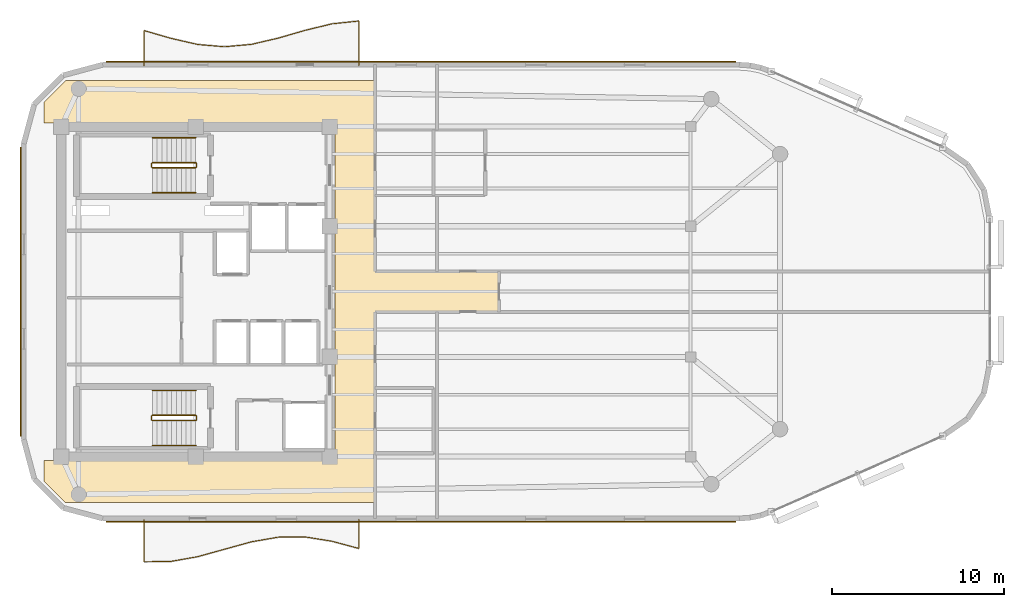
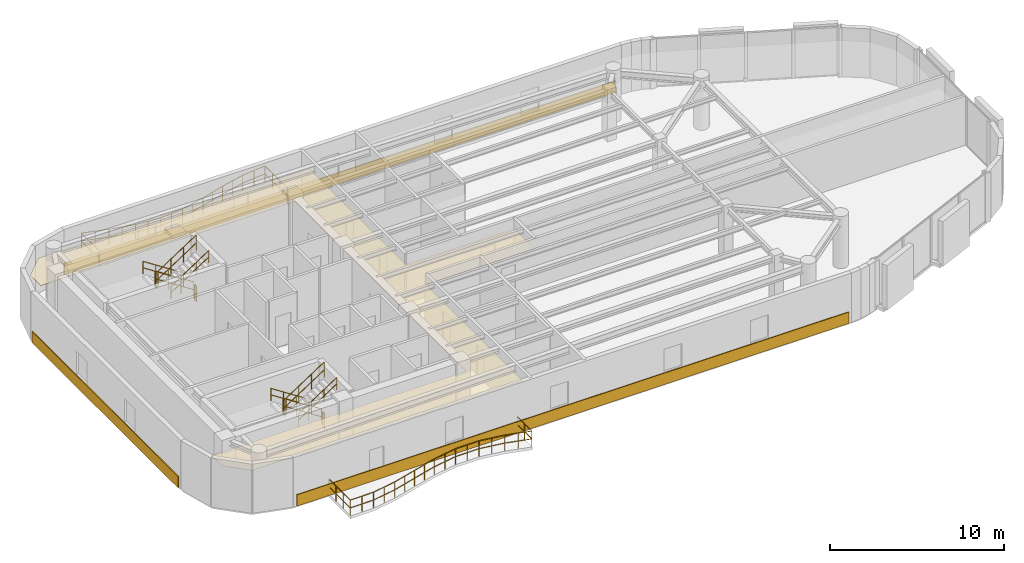
# One storey, part 11 of 12: 14 railings, 4 coverings.
"""IFC4 building model written with IfcOpenShell, lengths in metres."""

from ifc_helpers import new_model, si_unit, direction, frame, origin, origin_2d, place, context, subcontext, project, spatial, polyline, rectangle, circle, outline, extrude, material, layer, layer_set, type_object, element, save


model = new_model("IFC4")

# Units and contexts
model_context = context("Model", 3, precision=1e-05, world=origin(), true_north=direction((0.0, 1.0)))
body_context = subcontext(model_context, "Body", "Model", "MODEL_VIEW")
ifc_project = project(units=[si_unit("LENGTHUNIT", "METRE"), si_unit("AREAUNIT", "SQUARE_METRE"), si_unit("VOLUMEUNIT", "CUBIC_METRE"), si_unit("PLANEANGLEUNIT", "RADIAN"), si_unit("MASSUNIT", "GRAM", prefix="KILO")], contexts=[model_context])

# Site, building, storey
site_placement = place(None, origin())
site = spatial("IfcSite", under=ifc_project, at=site_placement, CompositionType="ELEMENT")
building_placement = place(site_placement, origin())
building = spatial("IfcBuilding", under=site, at=building_placement, Name="An Khanh Terracotta Commons", CompositionType="ELEMENT")
storey_placement = place(building_placement, frame((0.0, 0.0, 273.39990234375)))
storey = spatial("IfcBuildingStorey", under=building, at=storey_placement, Name="L71", CompositionType="ELEMENT", Elevation=273.39990234375)

# Coverings
ifc_material_1 = material(Name="Perforated Mineral-Fibre Acoustic Tile")
ifc_layer_1 = layer(ifc_material_1, 0.02001953125, Name="Perforated Mineral-Fibre Acoustic Tile")
ifc_layer_set_1 = layer_set([ifc_layer_1], Name="Perforated Mineral-Fibre Acoustic Tile")
covering_type_1 = type_object("IfcCoveringType", Name="CEIL-ACOUSTIC-18", PredefinedType="CEILING", material=ifc_layer_set_1)
covering_1_placement = place(storey_placement, frame((0.0, 0.0, 2.650146484375)))
element("IfcCovering", 1, at=covering_1_placement, inside=storey, type_object=covering_type_1, Name="L71 Corridor Ceiling", PredefinedType="CEILING", context=body_context, shape_type="SweptSolid", body=[
    extrude(outline(polyline([(21.84912109375, 11.719970703125), (20.60009765625, 12.968994140625), (20.60009765625, 14.179931640625), (37.5, 14.179931640625), (37.5, 33.820068359375), (20.60009765625, 33.820068359375), (20.60009765625, 35.031005859375), (21.84912109375, 36.280029296875), (37.5, 36.280029296875), (39.85009765625, 36.280029296875), (39.85009765625, 33.820068359375), (39.85009765625, 25.179931640625), (47.050048828125, 25.179931640625), (47.050048828125, 22.820068359375), (39.85009765625, 22.820068359375), (39.85009765625, 14.179931640625), (39.85009765625, 11.719970703125), (37.5, 11.719970703125), (21.84912109375, 11.719970703125)])), origin(), (0.0, 0.0, 1.0), 0.02001953125),
])
ifc_material_2 = material(Name="Fired Terracotta Rainscreen Cladding", Category="masonry")
ifc_layer_2 = layer(ifc_material_2, 0.06005859375, Name="Fired Terracotta Rainscreen Cladding")
ifc_layer_set_2 = layer_set([ifc_layer_2], Name="Fired Terracotta Rainscreen Cladding")
covering_type_2 = type_object("IfcCoveringType", Name="COV-SPANDREL-TERRA", PredefinedType="CLADDING", material=ifc_layer_set_2)
for number, where, z_axis, x_axis, name in (
    (2, (42.514892578125, 10.6201171875, 0.02001953125), (0.0, 0.0, 1.0), (1.0, 0.0, 0.0), "L71 Terracotta Spandrel Cladding 4"),
    (3, (42.514892578125, 37.3798828125, 0.02001953125), (0.0, 0.0, 1.0), (-1.0, 0.0, 0.0), "L71 Terracotta Spandrel Cladding 20"),
):
    element("IfcCovering", number, at=place(storey_placement, frame(where, z_axis=z_axis, x_axis=x_axis)), inside=storey, type_object=covering_type_2, Name=name, PredefinedType="CLADDING", context=body_context, shape_type="SweptSolid", body=[
        extrude(rectangle(XDim=36.6298828125, YDim=0.06005859375, at=origin_2d()), origin(), (0.0, 0.0, 1.0), 0.800048828125),
    ])
covering_2_placement = place(storey_placement, frame((19.219970703125, 24.0, 0.02001953125), z_axis=(0.0, 0.0, 1.0), x_axis=(0.0, -1.0, 0.0)))
element("IfcCovering", 4, at=covering_2_placement, inside=storey, type_object=covering_type_2, Name="L71 Terracotta Spandrel Cladding 24", PredefinedType="CLADDING", context=body_context, shape_type="SweptSolid", body=[
    extrude(rectangle(XDim=16.800048828125, YDim=0.06005859375, at=origin_2d()), origin(), (0.0, 0.0, 1.0), 0.800048828125),
])

# Railings
ifc_material_3 = material(Name="Brushed Stainless Steel 316", Category="steel")
railing_type_1 = type_object("IfcRailingType", Name="RAIL-BALUSTRADE-1100", PredefinedType="BALUSTRADE", material=ifc_material_3)
railing_1_placement = place(storey_placement, frame((26.39990234375, 10.739990234375, 0.0)))
element("IfcRailing", 5, at=railing_1_placement, inside=storey, type_object=railing_type_1, Name="L71 S Wave Balcony Guard Balustrade", PredefinedType="BALUSTRADE", context=body_context, shape_type="SweptSolid", body=[
    extrude(circle(Radius=0.02392578125, at=origin_2d()), frame((0.0, 0.0, 1.076171875), z_axis=(0.0, -1.0, 0.0), x_axis=(1.0, 0.0, 0.0)), (0.0, 0.0, 1.0), 2.4541015625),
    extrude(circle(Radius=0.02392578125, at=origin_2d()), frame((0.0, 0.0, 0.52587890625), z_axis=(0.0, -1.0, 0.0), x_axis=(1.0, 0.0, 0.0)), (0.0, 0.0, 1.0), 2.4541015625),
    extrude(circle(Radius=0.02392578125, at=origin_2d()), frame((0.0, -2.4541015625, 1.076171875), z_axis=(0.999917878715, 0.01281545265, 0.0), x_axis=(-0.01281545265, 0.999917878715, 0.0)), (0.0, 0.0, 1.0), 1.562255859375),
    extrude(circle(Radius=0.02392578125, at=origin_2d()), frame((0.0, -2.4541015625, 0.52587890625), z_axis=(0.999917878715, 0.01281545265, 0.0), x_axis=(-0.01281545265, 0.999917878715, 0.0)), (0.0, 0.0, 1.0), 1.562255859375),
    extrude(circle(Radius=0.02392578125, at=origin_2d()), frame((1.56201171875, -2.43408203125, 1.076171875), z_axis=(0.984645446048, 0.174566163896, 0.0), x_axis=(-0.174566163896, 0.984645446048, 0.0)), (0.0, 0.0, 1.0), 1.58740234375),
    extrude(circle(Radius=0.02392578125, at=origin_2d()), frame((1.56201171875, -2.43408203125, 0.52587890625), z_axis=(0.984645446048, 0.174566163896, 0.0), x_axis=(-0.174566163896, 0.984645446048, 0.0)), (0.0, 0.0, 1.0), 1.58740234375),
    extrude(circle(Radius=0.02392578125, at=origin_2d()), frame((3.125, -2.156982421875, 1.076171875), z_axis=(0.963642958216, 0.267193280381, 0.0), x_axis=(-0.267193280381, 0.963642958216, 0.0)), (0.0, 0.0, 1.0), 1.620849609375),
    extrude(circle(Radius=0.02392578125, at=origin_2d()), frame((3.125, -2.156982421875, 0.52587890625), z_axis=(0.963642958216, 0.267193280381, 0.0), x_axis=(-0.267193280381, 0.963642958216, 0.0)), (0.0, 0.0, 1.0), 1.620849609375),
    extrude(circle(Radius=0.02392578125, at=origin_2d()), frame((4.68701171875, -1.723876953125, 1.076171875), z_axis=(0.964033871399, 0.265779410031, 0.0), x_axis=(-0.265779410031, 0.964033871399, 0.0)), (0.0, 0.0, 1.0), 1.621337890625),
    extrude(circle(Radius=0.02392578125, at=origin_2d()), frame((4.68701171875, -1.723876953125, 0.52587890625), z_axis=(0.964033871399, 0.265779410031, 0.0), x_axis=(-0.265779410031, 0.964033871399, 0.0)), (0.0, 0.0, 1.0), 1.621337890625),
    extrude(circle(Radius=0.02392578125, at=origin_2d()), frame((6.25, -1.29296875, 1.076171875), z_axis=(0.985281748756, 0.170938221494, 0.0), x_axis=(-0.170938221494, 0.985281748756, 0.0)), (0.0, 0.0, 1.0), 1.58544921875),
    extrude(circle(Radius=0.02392578125, at=origin_2d()), frame((6.25, -1.29296875, 0.52587890625), z_axis=(0.985281748756, 0.170938221494, 0.0), x_axis=(-0.170938221494, 0.985281748756, 0.0)), (0.0, 0.0, 1.0), 1.58544921875),
    extrude(circle(Radius=0.02392578125, at=origin_2d()), frame((7.81201171875, -1.02197265625, 1.076171875), z_axis=(0.999965733632, 0.008278379238, 0.0), x_axis=(-0.008278379238, 0.999965733632, 0.0)), (0.0, 0.0, 1.0), 1.56298828125),
    extrude(circle(Radius=0.02392578125, at=origin_2d()), frame((7.81201171875, -1.02197265625, 0.52587890625), z_axis=(0.999965733632, 0.008278379238, 0.0), x_axis=(-0.008278379238, 0.999965733632, 0.0)), (0.0, 0.0, 1.0), 1.56298828125),
    extrude(circle(Radius=0.02392578125, at=origin_2d()), frame((9.375, -1.009033203125, 1.076171875), z_axis=(0.98743292605, -0.158038655248, 0.0), x_axis=(0.158038655248, 0.98743292605, 0.0)), (0.0, 0.0, 1.0), 1.581787109375),
    extrude(circle(Radius=0.02392578125, at=origin_2d()), frame((9.375, -1.009033203125, 0.52587890625), z_axis=(0.98743292605, -0.158038655248, 0.0), x_axis=(0.158038655248, 0.98743292605, 0.0)), (0.0, 0.0, 1.0), 1.581787109375),
    extrude(circle(Radius=0.02392578125, at=origin_2d()), frame((10.93701171875, -1.259033203125, 1.076171875), z_axis=(0.965449572889, -0.260589950321, 0.0), x_axis=(0.260589950321, 0.965449572889, 0.0)), (0.0, 0.0, 1.0), 1.618896484375),
    extrude(circle(Radius=0.02392578125, at=origin_2d()), frame((10.93701171875, -1.259033203125, 0.52587890625), z_axis=(0.965449572889, -0.260589950321, 0.0), x_axis=(0.260589950321, 0.965449572889, 0.0)), (0.0, 0.0, 1.0), 1.618896484375),
    extrude(circle(Radius=0.02392578125, at=origin_2d()), frame((12.5, -1.680908203125, 1.076171875), z_axis=(0.0, 1.0, 0.0), x_axis=(-1.0, 0.0, 0.0)), (0.0, 0.0, 1.0), 1.680908203125),
    extrude(circle(Radius=0.02392578125, at=origin_2d()), frame((12.5, -1.680908203125, 0.52587890625), z_axis=(0.0, 1.0, 0.0), x_axis=(-1.0, 0.0, 0.0)), (0.0, 0.0, 1.0), 1.680908203125),
    extrude(circle(Radius=0.02099609375, at=origin_2d()), origin(), (0.0, 0.0, 1.0), 1.052001953125),
    extrude(circle(Radius=0.02099609375, at=origin_2d()), frame((0.0, -0.818115234375, 0.0)), (0.0, 0.0, 1.0), 1.052001953125),
    extrude(circle(Radius=0.02099609375, at=origin_2d()), frame((0.0, -1.635986328125, 0.0)), (0.0, 0.0, 1.0), 1.052001953125),
    extrude(circle(Radius=0.02099609375, at=origin_2d()), frame((0.0, -2.4541015625, 0.0)), (0.0, 0.0, 1.0), 1.052001953125),
    extrude(circle(Radius=0.02099609375, at=origin_2d()), frame((0.781005859375, -2.444091796875, 0.0)), (0.0, 0.0, 1.0), 1.052001953125),
    extrude(circle(Radius=0.02099609375, at=origin_2d()), frame((1.56201171875, -2.43408203125, 0.0)), (0.0, 0.0, 1.0), 1.052001953125),
    extrude(circle(Radius=0.02099609375, at=origin_2d()), frame((2.343505859375, -2.29541015625, 0.0)), (0.0, 0.0, 1.0), 1.052001953125),
    extrude(circle(Radius=0.02099609375, at=origin_2d()), frame((3.125, -2.156982421875, 0.0)), (0.0, 0.0, 1.0), 1.052001953125),
    extrude(circle(Radius=0.02099609375, at=origin_2d()), frame((3.906005859375, -1.9404296875, 0.0)), (0.0, 0.0, 1.0), 1.052001953125),
    extrude(circle(Radius=0.02099609375, at=origin_2d()), frame((4.68701171875, -1.723876953125, 0.0)), (0.0, 0.0, 1.0), 1.052001953125),
    extrude(circle(Radius=0.02099609375, at=origin_2d()), frame((5.468505859375, -1.50830078125, 0.0)), (0.0, 0.0, 1.0), 1.052001953125),
    extrude(circle(Radius=0.02099609375, at=origin_2d()), frame((6.25, -1.29296875, 0.0)), (0.0, 0.0, 1.0), 1.052001953125),
    extrude(circle(Radius=0.02099609375, at=origin_2d()), frame((7.031005859375, -1.157470703125, 0.0)), (0.0, 0.0, 1.0), 1.052001953125),
    extrude(circle(Radius=0.02099609375, at=origin_2d()), frame((7.81201171875, -1.02197265625, 0.0)), (0.0, 0.0, 1.0), 1.052001953125),
    extrude(circle(Radius=0.02099609375, at=origin_2d()), frame((8.593505859375, -1.015625, 0.0)), (0.0, 0.0, 1.0), 1.052001953125),
    extrude(circle(Radius=0.02099609375, at=origin_2d()), frame((9.375, -1.009033203125, 0.0)), (0.0, 0.0, 1.0), 1.052001953125),
    extrude(circle(Radius=0.02099609375, at=origin_2d()), frame((10.156005859375, -1.134033203125, 0.0)), (0.0, 0.0, 1.0), 1.052001953125),
    extrude(circle(Radius=0.02099609375, at=origin_2d()), frame((10.93701171875, -1.259033203125, 0.0)), (0.0, 0.0, 1.0), 1.052001953125),
    extrude(circle(Radius=0.02099609375, at=origin_2d()), frame((11.718505859375, -1.469970703125, 0.0)), (0.0, 0.0, 1.0), 1.052001953125),
    extrude(circle(Radius=0.02099609375, at=origin_2d()), frame((12.5, -1.680908203125, 0.0)), (0.0, 0.0, 1.0), 1.052001953125),
    extrude(circle(Radius=0.02099609375, at=origin_2d()), frame((12.5, -0.84033203125, 0.0)), (0.0, 0.0, 1.0), 1.052001953125),
    extrude(circle(Radius=0.02099609375, at=origin_2d()), frame((12.5, 0.0, 0.0)), (0.0, 0.0, 1.0), 1.052001953125),
])
railing_2_placement = place(storey_placement, frame((38.89990234375, 37.139892578125, 0.0)))
element("IfcRailing", 6, at=railing_2_placement, inside=storey, type_object=railing_type_1, Name="L71 N Wave Balcony Guard Balustrade", PredefinedType="BALUSTRADE", context=body_context, shape_type="SweptSolid", body=[
    extrude(circle(Radius=0.02392578125, at=origin_2d()), frame((0.0, 0.0, 1.076171875), z_axis=(0.0, 1.0, 0.0), x_axis=(-1.0, 0.0, 0.0)), (0.0, 0.0, 1.0), 2.59814453125),
    extrude(circle(Radius=0.02392578125, at=origin_2d()), frame((0.0, 0.0, 0.52587890625), z_axis=(0.0, 1.0, 0.0), x_axis=(-1.0, 0.0, 0.0)), (0.0, 0.0, 1.0), 2.59814453125),
    extrude(circle(Radius=0.02392578125, at=origin_2d()), frame((0.0, 2.59814453125, 1.076171875), z_axis=(-0.994536054245, -0.104393662676, 0.0), x_axis=(0.104393662676, -0.994536054245, 0.0)), (0.0, 0.0, 1.0), 1.571533203125),
    extrude(circle(Radius=0.02392578125, at=origin_2d()), frame((0.0, 2.59814453125, 0.52587890625), z_axis=(-0.994536054245, -0.104393662676, 0.0), x_axis=(0.104393662676, -0.994536054245, 0.0)), (0.0, 0.0, 1.0), 1.571533203125),
    extrude(circle(Radius=0.02392578125, at=origin_2d()), frame((-1.56298828125, 2.43408203125, 1.076171875), z_axis=(-0.971955413809, -0.235165204841, 0.0), x_axis=(0.235165204841, -0.971955413809, 0.0)), (0.0, 0.0, 1.0), 1.607177734375),
    extrude(circle(Radius=0.02392578125, at=origin_2d()), frame((-1.56298828125, 2.43408203125, 0.52587890625), z_axis=(-0.971955413809, -0.235165204841, 0.0), x_axis=(0.235165204841, -0.971955413809, 0.0)), (0.0, 0.0, 1.0), 1.607177734375),
    extrude(circle(Radius=0.02392578125, at=origin_2d()), frame((-3.125, 2.05615234375, 1.076171875), z_axis=(-0.960452411879, -0.278444185637, 0.0), x_axis=(0.278444185637, -0.960452411879, 0.0)), (0.0, 0.0, 1.0), 1.62744140625),
    extrude(circle(Radius=0.02392578125, at=origin_2d()), frame((-3.125, 2.05615234375, 0.52587890625), z_axis=(-0.960452411879, -0.278444185637, 0.0), x_axis=(0.278444185637, -0.960452411879, 0.0)), (0.0, 0.0, 1.0), 1.62744140625),
    extrude(circle(Radius=0.02392578125, at=origin_2d()), frame((-4.68798828125, 1.60302734375, 1.076171875), z_axis=(-0.974038482071, -0.226382498099, 0.0), x_axis=(0.226382498099, -0.974038482071, 0.0)), (0.0, 0.0, 1.0), 1.603759765625),
    extrude(circle(Radius=0.02392578125, at=origin_2d()), frame((-4.68798828125, 1.60302734375, 0.52587890625), z_axis=(-0.974038482071, -0.226382498099, 0.0), x_axis=(0.226382498099, -0.974038482071, 0.0)), (0.0, 0.0, 1.0), 1.603759765625),
    extrude(circle(Radius=0.02392578125, at=origin_2d()), frame((-6.25, 1.239990234375, 1.076171875), z_axis=(-0.996018486948, -0.089146921747, 0.0), x_axis=(0.089146921747, -0.996018486948, 0.0)), (0.0, 0.0, 1.0), 1.5693359375),
    extrude(circle(Radius=0.02392578125, at=origin_2d()), frame((-6.25, 1.239990234375, 0.52587890625), z_axis=(-0.996018486948, -0.089146921747, 0.0), x_axis=(0.089146921747, -0.996018486948, 0.0)), (0.0, 0.0, 1.0), 1.5693359375),
    extrude(circle(Radius=0.02392578125, at=origin_2d()), frame((-7.81298828125, 1.10009765625, 1.076171875), z_axis=(-0.99639156496, 0.084875492795, 0.0), x_axis=(-0.084875492795, -0.99639156496, 0.0)), (0.0, 0.0, 1.0), 1.567626953125),
    extrude(circle(Radius=0.02392578125, at=origin_2d()), frame((-7.81298828125, 1.10009765625, 0.52587890625), z_axis=(-0.99639156496, 0.084875492795, 0.0), x_axis=(-0.084875492795, -0.99639156496, 0.0)), (0.0, 0.0, 1.0), 1.567626953125),
    extrude(circle(Radius=0.02392578125, at=origin_2d()), frame((-9.375, 1.233154296875, 1.076171875), z_axis=(-0.974636931068, 0.223791985109, 0.0), x_axis=(-0.223791985109, -0.974636931068, 0.0)), (0.0, 0.0, 1.0), 1.603759765625),
    extrude(circle(Radius=0.02392578125, at=origin_2d()), frame((-9.375, 1.233154296875, 0.52587890625), z_axis=(-0.974636931068, 0.223791985109, 0.0), x_axis=(-0.223791985109, -0.974636931068, 0.0)), (0.0, 0.0, 1.0), 1.603759765625),
    extrude(circle(Radius=0.02392578125, at=origin_2d()), frame((-10.93798828125, 1.592041015625, 1.076171875), z_axis=(-0.960566374917, 0.278050785612, 0.0), x_axis=(-0.278050785612, -0.960566374917, 0.0)), (0.0, 0.0, 1.0), 1.626220703125),
    extrude(circle(Radius=0.02392578125, at=origin_2d()), frame((-10.93798828125, 1.592041015625, 0.52587890625), z_axis=(-0.960566374917, 0.278050785612, 0.0), x_axis=(-0.278050785612, -0.960566374917, 0.0)), (0.0, 0.0, 1.0), 1.626220703125),
    extrude(circle(Radius=0.02392578125, at=origin_2d()), frame((-12.5, 2.044189453125, 1.076171875), z_axis=(0.0, -1.0, 0.0), x_axis=(1.0, 0.0, 0.0)), (0.0, 0.0, 1.0), 2.044189453125),
    extrude(circle(Radius=0.02392578125, at=origin_2d()), frame((-12.5, 2.044189453125, 0.52587890625), z_axis=(0.0, -1.0, 0.0), x_axis=(1.0, 0.0, 0.0)), (0.0, 0.0, 1.0), 2.044189453125),
    extrude(circle(Radius=0.02099609375, at=origin_2d()), origin(), (0.0, 0.0, 1.0), 1.052001953125),
    extrude(circle(Radius=0.02099609375, at=origin_2d()), frame((0.0, 0.865966796875, 0.0)), (0.0, 0.0, 1.0), 1.052001953125),
    extrude(circle(Radius=0.02099609375, at=origin_2d()), frame((0.0, 1.732177734375, 0.0)), (0.0, 0.0, 1.0), 1.052001953125),
    extrude(circle(Radius=0.02099609375, at=origin_2d()), frame((0.0, 2.59814453125, 0.0)), (0.0, 0.0, 1.0), 1.052001953125),
    extrude(circle(Radius=0.02099609375, at=origin_2d()), frame((-0.781494140625, 2.51611328125, 0.0)), (0.0, 0.0, 1.0), 1.052001953125),
    extrude(circle(Radius=0.02099609375, at=origin_2d()), frame((-1.56298828125, 2.43408203125, 0.0)), (0.0, 0.0, 1.0), 1.052001953125),
    extrude(circle(Radius=0.02099609375, at=origin_2d()), frame((-2.343994140625, 2.2451171875, 0.0)), (0.0, 0.0, 1.0), 1.052001953125),
    extrude(circle(Radius=0.02099609375, at=origin_2d()), frame((-3.125, 2.05615234375, 0.0)), (0.0, 0.0, 1.0), 1.052001953125),
    extrude(circle(Radius=0.02099609375, at=origin_2d()), frame((-3.906494140625, 1.82958984375, 0.0)), (0.0, 0.0, 1.0), 1.052001953125),
    extrude(circle(Radius=0.02099609375, at=origin_2d()), frame((-4.68798828125, 1.60302734375, 0.0)), (0.0, 0.0, 1.0), 1.052001953125),
    extrude(circle(Radius=0.02099609375, at=origin_2d()), frame((-5.468994140625, 1.42138671875, 0.0)), (0.0, 0.0, 1.0), 1.052001953125),
    extrude(circle(Radius=0.02099609375, at=origin_2d()), frame((-6.25, 1.239990234375, 0.0)), (0.0, 0.0, 1.0), 1.052001953125),
    extrude(circle(Radius=0.02099609375, at=origin_2d()), frame((-7.031494140625, 1.169921875, 0.0)), (0.0, 0.0, 1.0), 1.052001953125),
    extrude(circle(Radius=0.02099609375, at=origin_2d()), frame((-7.81298828125, 1.10009765625, 0.0)), (0.0, 0.0, 1.0), 1.052001953125),
    extrude(circle(Radius=0.02099609375, at=origin_2d()), frame((-8.593994140625, 1.16650390625, 0.0)), (0.0, 0.0, 1.0), 1.052001953125),
    extrude(circle(Radius=0.02099609375, at=origin_2d()), frame((-9.375, 1.233154296875, 0.0)), (0.0, 0.0, 1.0), 1.052001953125),
    extrude(circle(Radius=0.02099609375, at=origin_2d()), frame((-10.156494140625, 1.41259765625, 0.0)), (0.0, 0.0, 1.0), 1.052001953125),
    extrude(circle(Radius=0.02099609375, at=origin_2d()), frame((-10.93798828125, 1.592041015625, 0.0)), (0.0, 0.0, 1.0), 1.052001953125),
    extrude(circle(Radius=0.02099609375, at=origin_2d()), frame((-11.718994140625, 1.818115234375, 0.0)), (0.0, 0.0, 1.0), 1.052001953125),
    extrude(circle(Radius=0.02099609375, at=origin_2d()), frame((-12.5, 2.044189453125, 0.0)), (0.0, 0.0, 1.0), 1.052001953125),
    extrude(circle(Radius=0.02099609375, at=origin_2d()), frame((-12.5, 1.02197265625, 0.0)), (0.0, 0.0, 1.0), 1.052001953125),
    extrude(circle(Radius=0.02099609375, at=origin_2d()), frame((-12.5, 0.0, 0.0)), (0.0, 0.0, 1.0), 1.052001953125),
])
railing_type_2 = type_object("IfcRailingType", Name="RAIL-HANDRAIL-900", PredefinedType="HANDRAIL", material=ifc_material_3)
railing_3_placement = place(storey_placement, frame((29.409912109375, 32.949951171875, 0.1826171875)))
element("IfcRailing", 7, at=railing_3_placement, inside=storey, type_object=railing_type_2, Name="L71 ST-01 stair handrail 1", PredefinedType="HANDRAIL", context=body_context, shape_type="SweptSolid", body=[
    extrude(circle(Radius=0.02392578125, at=origin_2d()), frame((0.0, 0.0, 0.8759765625), z_axis=(-0.837749427056, 0.0, 0.546054848405), x_axis=(0.0, -1.0, 0.0)), (0.0, 0.0, 1.0), 3.008056640625),
    extrude(circle(Radius=0.02392578125, at=origin_2d()), frame((0.0, 0.0, 0.42578125), z_axis=(-0.837749427056, 0.0, 0.546054848405), x_axis=(0.0, -1.0, 0.0)), (0.0, 0.0, 1.0), 3.008056640625),
    extrude(circle(Radius=0.02099609375, at=origin_2d()), origin(), (0.0, 0.0, 1.0), 0.851806640625),
    extrude(circle(Radius=0.02099609375, at=origin_2d()), frame((-0.840087890625, 0.0, 0.547607421875)), (0.0, 0.0, 1.0), 0.851806640625),
    extrude(circle(Radius=0.02099609375, at=origin_2d()), frame((-1.679931640625, 0.0, 1.094970703125)), (0.0, 0.0, 1.0), 0.851806640625),
    extrude(circle(Radius=0.02099609375, at=origin_2d()), frame((-2.52001953125, 0.0, 1.642578125)), (0.0, 0.0, 1.0), 0.851806640625),
])
railing_4_placement = place(storey_placement, frame((26.889892578125, 29.75, 2.007568359375)))
element("IfcRailing", 8, at=railing_4_placement, inside=storey, type_object=railing_type_2, Name="L71 ST-01 stair handrail 2", PredefinedType="HANDRAIL", context=body_context, shape_type="SweptSolid", body=[
    extrude(circle(Radius=0.02392578125, at=origin_2d()), frame((0.0, 0.0, 0.8759765625), z_axis=(0.837749427056, 0.0, 0.546054848405), x_axis=(0.0, 1.0, 0.0)), (0.0, 0.0, 1.0), 3.008056640625),
    extrude(circle(Radius=0.02392578125, at=origin_2d()), frame((0.0, 0.0, 0.42578125), z_axis=(0.837749427056, 0.0, 0.546054848405), x_axis=(0.0, 1.0, 0.0)), (0.0, 0.0, 1.0), 3.008056640625),
    extrude(circle(Radius=0.02099609375, at=origin_2d()), origin(), (0.0, 0.0, 1.0), 0.851806640625),
    extrude(circle(Radius=0.02099609375, at=origin_2d()), frame((0.840087890625, 0.0, 0.547607421875)), (0.0, 0.0, 1.0), 0.851806640625),
    extrude(circle(Radius=0.02099609375, at=origin_2d()), frame((1.679931640625, 0.0, 1.094970703125)), (0.0, 0.0, 1.0), 0.851806640625),
    extrude(circle(Radius=0.02099609375, at=origin_2d()), frame((2.52001953125, 0.0, 1.642578125)), (0.0, 0.0, 1.0), 0.851806640625),
])
railing_5_placement = place(storey_placement, frame((29.409912109375, 18.25, 0.1826171875)))
element("IfcRailing", 9, at=railing_5_placement, inside=storey, type_object=railing_type_2, Name="L71 ST-02 stair handrail 1", PredefinedType="HANDRAIL", context=body_context, shape_type="SweptSolid", body=[
    extrude(circle(Radius=0.02392578125, at=origin_2d()), frame((0.0, 0.0, 0.8759765625), z_axis=(-0.837749427056, 0.0, 0.546054848405), x_axis=(0.0, -1.0, 0.0)), (0.0, 0.0, 1.0), 3.008056640625),
    extrude(circle(Radius=0.02392578125, at=origin_2d()), frame((0.0, 0.0, 0.42578125), z_axis=(-0.837749427056, 0.0, 0.546054848405), x_axis=(0.0, -1.0, 0.0)), (0.0, 0.0, 1.0), 3.008056640625),
    extrude(circle(Radius=0.02099609375, at=origin_2d()), origin(), (0.0, 0.0, 1.0), 0.851806640625),
    extrude(circle(Radius=0.02099609375, at=origin_2d()), frame((-0.840087890625, 0.0, 0.547607421875)), (0.0, 0.0, 1.0), 0.851806640625),
    extrude(circle(Radius=0.02099609375, at=origin_2d()), frame((-1.679931640625, 0.0, 1.094970703125)), (0.0, 0.0, 1.0), 0.851806640625),
    extrude(circle(Radius=0.02099609375, at=origin_2d()), frame((-2.52001953125, 0.0, 1.642578125)), (0.0, 0.0, 1.0), 0.851806640625),
])
railing_6_placement = place(storey_placement, frame((26.889892578125, 15.050048828125, 2.007568359375)))
element("IfcRailing", 10, at=railing_6_placement, inside=storey, type_object=railing_type_2, Name="L71 ST-02 stair handrail 2", PredefinedType="HANDRAIL", context=body_context, shape_type="SweptSolid", body=[
    extrude(circle(Radius=0.02392578125, at=origin_2d()), frame((0.0, 0.0, 0.8759765625), z_axis=(0.837749427056, 0.0, 0.546054848405), x_axis=(0.0, 1.0, 0.0)), (0.0, 0.0, 1.0), 3.008056640625),
    extrude(circle(Radius=0.02392578125, at=origin_2d()), frame((0.0, 0.0, 0.42578125), z_axis=(0.837749427056, 0.0, 0.546054848405), x_axis=(0.0, 1.0, 0.0)), (0.0, 0.0, 1.0), 3.008056640625),
    extrude(circle(Radius=0.02099609375, at=origin_2d()), origin(), (0.0, 0.0, 1.0), 0.851806640625),
    extrude(circle(Radius=0.02099609375, at=origin_2d()), frame((0.840087890625, 0.0, 0.547607421875)), (0.0, 0.0, 1.0), 0.851806640625),
    extrude(circle(Radius=0.02099609375, at=origin_2d()), frame((1.679931640625, 0.0, 1.094970703125)), (0.0, 0.0, 1.0), 0.851806640625),
    extrude(circle(Radius=0.02099609375, at=origin_2d()), frame((2.52001953125, 0.0, 1.642578125)), (0.0, 0.0, 1.0), 0.851806640625),
])
ifc_material_4 = material(Name="Powder-Coated Steel S355J2", Category="steel")
railing_type_3 = type_object("IfcRailingType", Name="RAIL-STAIR-GUARD-1100", PredefinedType="BALUSTRADE", material=ifc_material_4)
railing_7_placement = place(storey_placement, frame((29.409912109375, 31.5, 0.1826171875)))
element("IfcRailing", 11, at=railing_7_placement, inside=storey, type_object=railing_type_3, Name="L71 ST-01 stair guard 1", PredefinedType="BALUSTRADE", context=body_context, shape_type="SweptSolid", body=[
    extrude(circle(Radius=0.02392578125, at=origin_2d()), frame((0.0, 0.0, 1.076171875), z_axis=(-0.837749427056, 0.0, 0.546054848405), x_axis=(0.0, -1.0, 0.0)), (0.0, 0.0, 1.0), 3.008056640625),
    extrude(circle(Radius=0.02392578125, at=origin_2d()), frame((0.0, 0.0, 0.52587890625), z_axis=(-0.837749427056, 0.0, 0.546054848405), x_axis=(0.0, -1.0, 0.0)), (0.0, 0.0, 1.0), 3.008056640625),
    extrude(circle(Radius=0.02099609375, at=origin_2d()), origin(), (0.0, 0.0, 1.0), 1.052001953125),
    extrude(circle(Radius=0.02099609375, at=origin_2d()), frame((-0.840087890625, 0.0, 0.547607421875)), (0.0, 0.0, 1.0), 1.052001953125),
    extrude(circle(Radius=0.02099609375, at=origin_2d()), frame((-1.679931640625, 0.0, 1.094970703125)), (0.0, 0.0, 1.0), 1.052001953125),
    extrude(circle(Radius=0.02099609375, at=origin_2d()), frame((-2.52001953125, 0.0, 1.642578125)), (0.0, 0.0, 1.0), 1.052001953125),
])
railing_8_placement = place(storey_placement, frame((26.840087890625, 31.449951171875, 1.8251953125)))
element("IfcRailing", 12, at=railing_8_placement, inside=storey, type_object=railing_type_3, Name="L71 ST-01 stair guard 2", PredefinedType="BALUSTRADE", context=body_context, shape_type="SweptSolid", body=[
    extrude(circle(Radius=0.02392578125, at=origin_2d()), frame((0.0, 0.0, 1.076171875), z_axis=(0.0, -1.0, 0.0), x_axis=(1.0, 0.0, 0.0)), (0.0, 0.0, 1.0), 0.199951171875),
    extrude(circle(Radius=0.02392578125, at=origin_2d()), frame((0.0, 0.0, 0.52587890625), z_axis=(0.0, -1.0, 0.0), x_axis=(1.0, 0.0, 0.0)), (0.0, 0.0, 1.0), 0.199951171875),
    extrude(circle(Radius=0.02099609375, at=origin_2d()), origin(), (0.0, 0.0, 1.0), 1.052001953125),
    extrude(circle(Radius=0.02099609375, at=origin_2d()), frame((0.0, -0.199951171875, 0.0)), (0.0, 0.0, 1.0), 1.052001953125),
])
railing_9_placement = place(storey_placement, frame((26.889892578125, 31.199951171875, 2.007568359375)))
element("IfcRailing", 13, at=railing_9_placement, inside=storey, type_object=railing_type_3, Name="L71 ST-01 stair guard 3", PredefinedType="BALUSTRADE", context=body_context, shape_type="SweptSolid", body=[
    extrude(circle(Radius=0.02392578125, at=origin_2d()), frame((0.0, 0.0, 1.076171875), z_axis=(0.837749427056, 0.0, 0.546054848405), x_axis=(0.0, 1.0, 0.0)), (0.0, 0.0, 1.0), 3.008056640625),
    extrude(circle(Radius=0.02392578125, at=origin_2d()), frame((0.0, 0.0, 0.52587890625), z_axis=(0.837749427056, 0.0, 0.546054848405), x_axis=(0.0, 1.0, 0.0)), (0.0, 0.0, 1.0), 3.008056640625),
    extrude(circle(Radius=0.02099609375, at=origin_2d()), origin(), (0.0, 0.0, 1.0), 1.052001953125),
    extrude(circle(Radius=0.02099609375, at=origin_2d()), frame((0.840087890625, 0.0, 0.547607421875)), (0.0, 0.0, 1.0), 1.052001953125),
    extrude(circle(Radius=0.02099609375, at=origin_2d()), frame((1.679931640625, 0.0, 1.094970703125)), (0.0, 0.0, 1.0), 1.052001953125),
    extrude(circle(Radius=0.02099609375, at=origin_2d()), frame((2.52001953125, 0.0, 1.642578125)), (0.0, 0.0, 1.0), 1.052001953125),
])
railing_10_placement = place(storey_placement, frame((29.4599609375, 31.449951171875, 0.0)))
element("IfcRailing", 14, at=railing_10_placement, inside=storey, type_object=railing_type_3, Name="L71 ST-01 stair guard 4", PredefinedType="BALUSTRADE", context=body_context, shape_type="SweptSolid", body=[
    extrude(circle(Radius=0.02392578125, at=origin_2d()), frame((0.0, 0.0, 1.076171875), z_axis=(0.0, -1.0, 0.0), x_axis=(1.0, 0.0, 0.0)), (0.0, 0.0, 1.0), 0.199951171875),
    extrude(circle(Radius=0.02392578125, at=origin_2d()), frame((0.0, 0.0, 0.52587890625), z_axis=(0.0, -1.0, 0.0), x_axis=(1.0, 0.0, 0.0)), (0.0, 0.0, 1.0), 0.199951171875),
    extrude(circle(Radius=0.02099609375, at=origin_2d()), origin(), (0.0, 0.0, 1.0), 1.052001953125),
    extrude(circle(Radius=0.02099609375, at=origin_2d()), frame((0.0, -0.199951171875, 0.0)), (0.0, 0.0, 1.0), 1.052001953125),
])
railing_11_placement = place(storey_placement, frame((29.409912109375, 16.800048828125, 0.1826171875)))
element("IfcRailing", 15, at=railing_11_placement, inside=storey, type_object=railing_type_3, Name="L71 ST-02 stair guard 1", PredefinedType="BALUSTRADE", context=body_context, shape_type="SweptSolid", body=[
    extrude(circle(Radius=0.02392578125, at=origin_2d()), frame((0.0, 0.0, 1.076171875), z_axis=(-0.837749427056, 0.0, 0.546054848405), x_axis=(0.0, -1.0, 0.0)), (0.0, 0.0, 1.0), 3.008056640625),
    extrude(circle(Radius=0.02392578125, at=origin_2d()), frame((0.0, 0.0, 0.52587890625), z_axis=(-0.837749427056, 0.0, 0.546054848405), x_axis=(0.0, -1.0, 0.0)), (0.0, 0.0, 1.0), 3.008056640625),
    extrude(circle(Radius=0.02099609375, at=origin_2d()), origin(), (0.0, 0.0, 1.0), 1.052001953125),
    extrude(circle(Radius=0.02099609375, at=origin_2d()), frame((-0.840087890625, 0.0, 0.547607421875)), (0.0, 0.0, 1.0), 1.052001953125),
    extrude(circle(Radius=0.02099609375, at=origin_2d()), frame((-1.679931640625, 0.0, 1.094970703125)), (0.0, 0.0, 1.0), 1.052001953125),
    extrude(circle(Radius=0.02099609375, at=origin_2d()), frame((-2.52001953125, 0.0, 1.642578125)), (0.0, 0.0, 1.0), 1.052001953125),
])
railing_12_placement = place(storey_placement, frame((26.840087890625, 16.75, 1.8251953125)))
element("IfcRailing", 16, at=railing_12_placement, inside=storey, type_object=railing_type_3, Name="L71 ST-02 stair guard 2", PredefinedType="BALUSTRADE", context=body_context, shape_type="SweptSolid", body=[
    extrude(circle(Radius=0.02392578125, at=origin_2d()), frame((0.0, 0.0, 1.076171875), z_axis=(0.0, -1.0, 0.0), x_axis=(1.0, 0.0, 0.0)), (0.0, 0.0, 1.0), 0.199951171875),
    extrude(circle(Radius=0.02392578125, at=origin_2d()), frame((0.0, 0.0, 0.52587890625), z_axis=(0.0, -1.0, 0.0), x_axis=(1.0, 0.0, 0.0)), (0.0, 0.0, 1.0), 0.199951171875),
    extrude(circle(Radius=0.02099609375, at=origin_2d()), origin(), (0.0, 0.0, 1.0), 1.052001953125),
    extrude(circle(Radius=0.02099609375, at=origin_2d()), frame((0.0, -0.199951171875, 0.0)), (0.0, 0.0, 1.0), 1.052001953125),
])
railing_13_placement = place(storey_placement, frame((26.889892578125, 16.5, 2.007568359375)))
element("IfcRailing", 17, at=railing_13_placement, inside=storey, type_object=railing_type_3, Name="L71 ST-02 stair guard 3", PredefinedType="BALUSTRADE", context=body_context, shape_type="SweptSolid", body=[
    extrude(circle(Radius=0.02392578125, at=origin_2d()), frame((0.0, 0.0, 1.076171875), z_axis=(0.837749427056, 0.0, 0.546054848405), x_axis=(0.0, 1.0, 0.0)), (0.0, 0.0, 1.0), 3.008056640625),
    extrude(circle(Radius=0.02392578125, at=origin_2d()), frame((0.0, 0.0, 0.52587890625), z_axis=(0.837749427056, 0.0, 0.546054848405), x_axis=(0.0, 1.0, 0.0)), (0.0, 0.0, 1.0), 3.008056640625),
    extrude(circle(Radius=0.02099609375, at=origin_2d()), origin(), (0.0, 0.0, 1.0), 1.052001953125),
    extrude(circle(Radius=0.02099609375, at=origin_2d()), frame((0.840087890625, 0.0, 0.547607421875)), (0.0, 0.0, 1.0), 1.052001953125),
    extrude(circle(Radius=0.02099609375, at=origin_2d()), frame((1.679931640625, 0.0, 1.094970703125)), (0.0, 0.0, 1.0), 1.052001953125),
    extrude(circle(Radius=0.02099609375, at=origin_2d()), frame((2.52001953125, 0.0, 1.642578125)), (0.0, 0.0, 1.0), 1.052001953125),
])
railing_14_placement = place(storey_placement, frame((29.4599609375, 16.75, 0.0)))
element("IfcRailing", 18, at=railing_14_placement, inside=storey, type_object=railing_type_3, Name="L71 ST-02 stair guard 4", PredefinedType="BALUSTRADE", context=body_context, shape_type="SweptSolid", body=[
    extrude(circle(Radius=0.02392578125, at=origin_2d()), frame((0.0, 0.0, 1.076171875), z_axis=(0.0, -1.0, 0.0), x_axis=(1.0, 0.0, 0.0)), (0.0, 0.0, 1.0), 0.199951171875),
    extrude(circle(Radius=0.02392578125, at=origin_2d()), frame((0.0, 0.0, 0.52587890625), z_axis=(0.0, -1.0, 0.0), x_axis=(1.0, 0.0, 0.0)), (0.0, 0.0, 1.0), 0.199951171875),
    extrude(circle(Radius=0.02099609375, at=origin_2d()), origin(), (0.0, 0.0, 1.0), 1.052001953125),
    extrude(circle(Radius=0.02099609375, at=origin_2d()), frame((0.0, -0.199951171875, 0.0)), (0.0, 0.0, 1.0), 1.052001953125),
])

save(model, "model.ifc")
